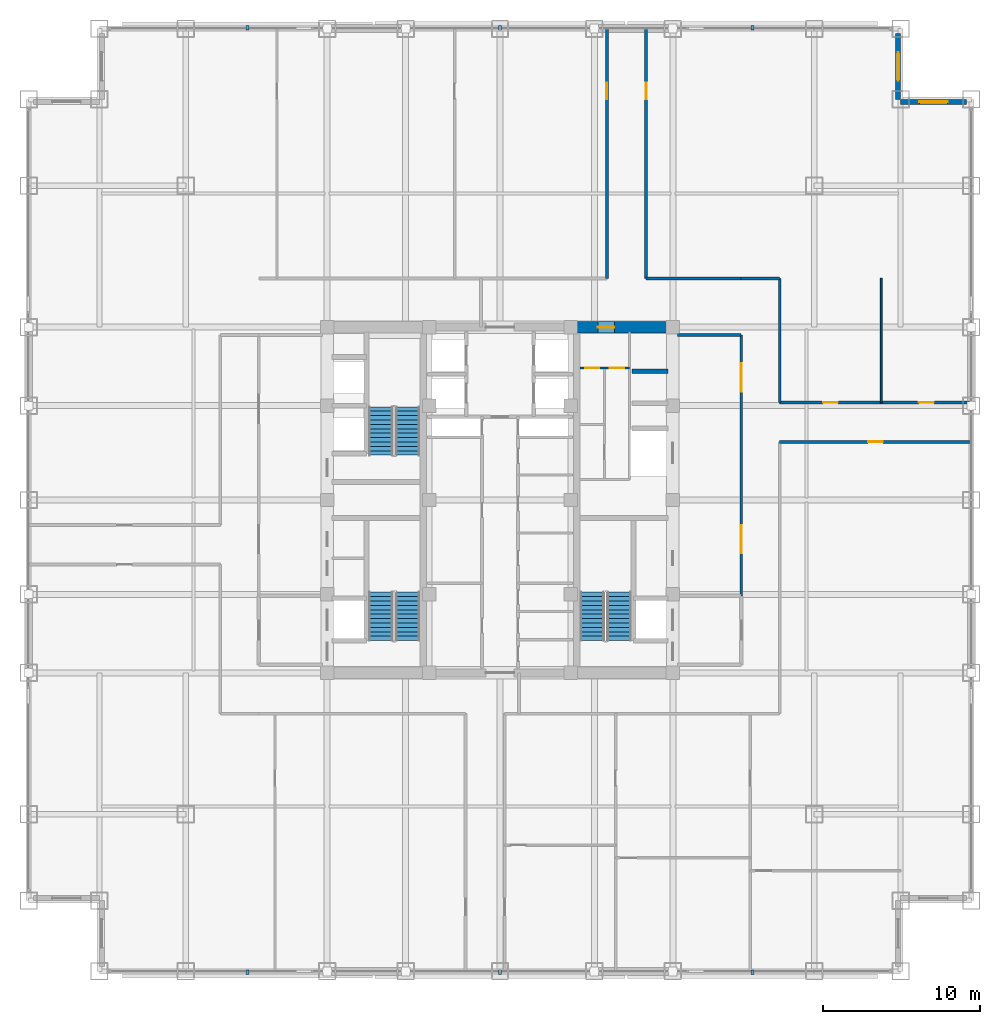
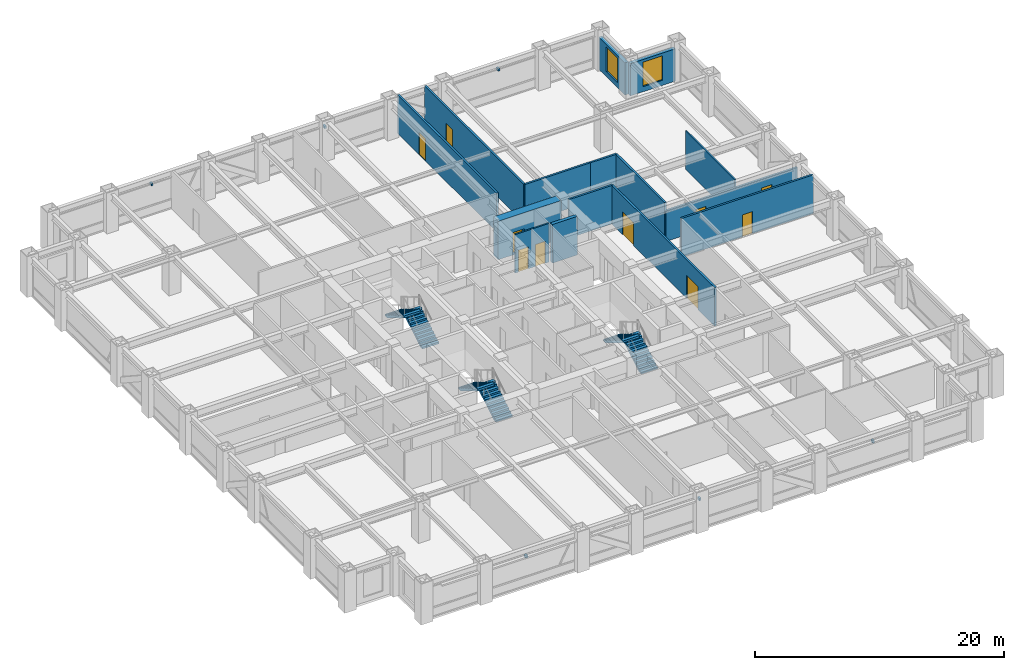
# One storey, part 23 of 28: 15 walls, 10 doors, 6 discrete accessories, 6 stair flights, 2 windows, 12 openings, 3 elements without a shape of their own.
"""IFC4 building model written with IfcOpenShell, lengths in metres."""

from ifc_helpers import new_model, si_unit, direction, frame, frame_2d, origin, origin_2d, place, context, subcontext, project, spatial, polyline, rectangle, outline, extrude, source, transform, mapped, material, layer, layer_set, type_object, element, fill, aggregate, save


model = new_model("IFC4")

# Units and contexts
model_context = context("Model", 3, precision=1e-05, world=origin(), true_north=direction((0.0, 1.0)))
body_context = subcontext(model_context, "Body", "Model", "MODEL_VIEW")
ifc_project = project(units=[si_unit("LENGTHUNIT", "METRE"), si_unit("AREAUNIT", "SQUARE_METRE"), si_unit("VOLUMEUNIT", "CUBIC_METRE"), si_unit("PLANEANGLEUNIT", "RADIAN"), si_unit("MASSUNIT", "GRAM", prefix="KILO")], contexts=[model_context])

# Site, building, storey
site_placement = place(None, origin())
site = spatial("IfcSite", under=ifc_project, at=site_placement, CompositionType="ELEMENT")
building_placement = place(site_placement, origin())
building = spatial("IfcBuilding", under=site, at=building_placement, Name="Khorayat Bourse Tower", CompositionType="ELEMENT")
storey_placement = place(building_placement, frame((0.0, 0.0, 183.10009765625)))
storey = spatial("IfcBuildingStorey", under=building, at=storey_placement, Name="L42", CompositionType="ELEMENT", Elevation=183.10009765625)

# Wall, opening, door
ifc_material_1 = material(Name="Concrete C72/90", Category="concrete")
ifc_layer_1 = layer(ifc_material_1, 0.75)
ifc_layer_set_1 = layer_set([ifc_layer_1], Name="Concrete C72/90")
wall_type_1 = type_object("IfcWallType", Name="WAL-CORE-750", PredefinedType="SHEAR", material=ifc_layer_set_1)
shared_shape_1 = source(origin(), body_context, "Body", "SweptSolid", [
    extrude(rectangle(XDim=5.849853515625, YDim=0.75, at=frame_2d((2.9248046875, 0.0))), origin(), (0.0, 0.0, 1.0), 3.77978515625),
])
wall_1_placement = place(storey_placement, frame((4.85009765625, 11.0, 0.0), z_axis=(0.0, 0.0, 1.0), x_axis=(1.0, 0.0, 0.0)))
wall_1 = element("IfcWall", 1, at=wall_1_placement, inside=storey, type_object=wall_type_1, Name="L42 Core Shear Wall PIER-EN", PredefinedType="SHEAR", context=body_context, shape_type="MappedRepresentation", body=[
    mapped(shared_shape_1, transform((0.0, 0.0, 0.0), scale=1.0)),
])
shared_shape_2 = source(origin(), body_context, "Body", "SweptSolid", [
    extrude(rectangle(XDim=1.050048828125, YDim=2.199951171875, at=frame_2d((0.52490234375, 1.10009765625))), frame((0.0, 0.385009765625, 0.0), z_axis=(0.0, -1.0, 0.0), x_axis=(1.0, 0.0, 0.0)), (0.0, 0.0, 1.0), 0.77001953125),
])
opening_1_placement = place(wall_1_placement, frame((1.375, 0.0, 0.0)))
opening_1 = element("IfcOpeningElement", 2, at=opening_1_placement, cuts=wall_1, Name="Opening DI-04", PredefinedType="OPENING", context=body_context, shape_type="MappedRepresentation", body=[
    mapped(shared_shape_2, transform((0.0, 0.0, 0.0), scale=1.0)),
])
ifc_material_2 = material(Name="Fire-rated oak veneer suite entrance door")
door_type_1 = type_object("IfcDoorType", Name="DR-INT-SUITE-1050", OperationType="NOTDEFINED", PredefinedType="DOOR", material=ifc_material_2)
shared_shape_3 = source(origin(), body_context, "Body", "SweptSolid", [
    extrude(rectangle(XDim=1.050048828125, YDim=2.199951171875, at=frame_2d((0.52490234375, 1.10009765625))), frame((0.0, 0.02490234375, 0.0), z_axis=(0.0, -1.0, 0.0), x_axis=(1.0, 0.0, 0.0)), (0.0, 0.0, 1.0), 0.050048828125),
])
door_1_placement = place(opening_1_placement, origin())
door_1 = element("IfcDoor", 3, at=door_1_placement, inside=storey, type_object=door_type_1, Name="L42 Core Washroom Lobby Door", OperationType="SINGLE_SWING_LEFT", OverallHeight=2.199951171875, OverallWidth=1.050048828125, PredefinedType="DOOR", context=body_context, shape_type="MappedRepresentation", body=[
    mapped(shared_shape_3, transform((0.0, 0.0, 0.0), scale=1.0)),
])
fill(opening_1, door_1)

# Wall, opening, window
ifc_material_3 = material(Name="Precast concrete C45/55", Category="concrete")
ifc_layer_2 = layer(ifc_material_3, 0.320068359375)
ifc_layer_set_2 = layer_set([ifc_layer_2], Name="Precast concrete C45/55")
wall_type_2 = type_object("IfcWallType", Name="WAL-EXT-STONE-320", PredefinedType="STANDARD", material=ifc_layer_set_2)
shared_shape_4 = source(origin(), body_context, "Body", "SweptSolid", [
    extrude(rectangle(XDim=4.179931640625, YDim=0.320068359375, at=frame_2d((2.08984375, 0.0))), origin(), (0.0, 0.0, 1.0), 3.163818359375),
])
wall_2_placement = place(storey_placement, frame((25.5, 25.340087890625, 0.0), z_axis=(0.0, 0.0, 1.0), x_axis=(1.0, 0.0, 0.0)))
wall_2 = element("IfcWall", 4, at=wall_2_placement, inside=storey, type_object=wall_type_2, Name="L42 Re-Entrant Notch Limestone Wall NE-H", PredefinedType="STANDARD", context=body_context, shape_type="MappedRepresentation", body=[
    mapped(shared_shape_4, transform((0.0, 0.0, 0.0), scale=1.0)),
])
shared_shape_5 = source(origin(), body_context, "Body", "SweptSolid", [
    extrude(rectangle(XDim=1.800048828125, YDim=2.39990234375, at=frame_2d((0.89990234375, 1.199951171875))), frame((0.0, 0.169921875, 0.0), z_axis=(0.0, -1.0, 0.0), x_axis=(1.0, 0.0, 0.0)), (0.0, 0.0, 1.0), 0.340087890625),
])
opening_2_placement = place(wall_2_placement, frame((1.18994140625, 0.0, 0.5)))
opening_2 = element("IfcOpeningElement", 5, at=opening_2_placement, cuts=wall_2, Name="Opening WN-04", PredefinedType="OPENING", context=body_context, shape_type="MappedRepresentation", body=[
    mapped(shared_shape_5, transform((0.0, 0.0, 0.0), scale=1.0)),
])
ifc_material_4 = material(Name="Low-E acoustic laminated double glazing", Category="glass")
window_type = type_object("IfcWindowType", Name="WIN-NOTCH-1800x2400", PartitioningType="SINGLE_PANEL", PredefinedType="WINDOW", material=ifc_material_4)
shared_shape_6 = source(origin(), body_context, "Body", "SweptSolid", [
    extrude(rectangle(XDim=1.800048828125, YDim=2.39990234375, at=frame_2d((0.89990234375, 1.199951171875))), frame((0.0, 0.030029296875, 0.0), z_axis=(0.0, -1.0, 0.0), x_axis=(1.0, 0.0, 0.0)), (0.0, 0.0, 1.0), 0.06005859375),
])
window_1_placement = place(opening_2_placement, origin())
window_1 = element("IfcWindow", 6, at=window_1_placement, inside=storey, type_object=window_type, Name="L42 Facade Window 1", OverallHeight=2.39990234375, OverallWidth=1.800048828125, PartitioningType="SINGLE_PANEL", PredefinedType="WINDOW", context=body_context, shape_type="MappedRepresentation", body=[
    mapped(shared_shape_6, transform((0.0, 0.0, 0.0), scale=1.0)),
])
fill(opening_2, window_1)

wall_3_placement = place(storey_placement, frame((25.340087890625, 25.5, 0.0), z_axis=(0.0, 0.0, 1.0), x_axis=(0.0, 1.0, 0.0)))
wall_3 = element("IfcWall", 7, at=wall_3_placement, inside=storey, type_object=wall_type_2, Name="L42 Re-Entrant Notch Limestone Wall NE-V", PredefinedType="STANDARD", context=body_context, shape_type="MappedRepresentation", body=[
    mapped(shared_shape_4, transform((0.0, 0.0, 0.0), scale=1.0)),
])
opening_3_placement = place(wall_3_placement, frame((1.18994140625, 0.0, 0.5)))
opening_3 = element("IfcOpeningElement", 8, at=opening_3_placement, cuts=wall_3, Name="Opening WN-04", PredefinedType="OPENING", context=body_context, shape_type="MappedRepresentation", body=[
    mapped(shared_shape_5, transform((0.0, 0.0, 0.0), scale=1.0)),
])
window_2_placement = place(opening_3_placement, origin())
window_2 = element("IfcWindow", 9, at=window_2_placement, inside=storey, type_object=window_type, Name="L42 Facade Window 1", OverallHeight=2.39990234375, OverallWidth=1.800048828125, PartitioningType="SINGLE_PANEL", PredefinedType="WINDOW", context=body_context, shape_type="MappedRepresentation", body=[
    mapped(shared_shape_6, transform((0.0, 0.0, 0.0), scale=1.0)),
])
fill(opening_3, window_2)

# Wall
ifc_material_5 = material(Name="Concrete C50/60", Category="concrete")
ifc_layer_3 = layer(ifc_material_5, 0.300048828125)
ifc_layer_set_3 = layer_set([ifc_layer_3], Name="Concrete C50/60")
wall_type_3 = type_object("IfcWallType", Name="WAL-SHAFT-300", PredefinedType="SHEAR", material=ifc_layer_set_3)
shared_shape_7 = source(origin(), body_context, "Body", "SweptSolid", [
    extrude(rectangle(XDim=2.300048828125, YDim=0.300048828125, at=frame_2d((1.14990234375, 0.0))), origin(), (0.0, 0.0, 1.0), 3.77978515625),
])
wall_4_placement = place(storey_placement, frame((8.39990234375, 8.199951171875, 0.0), z_axis=(0.0, 0.0, 1.0), x_axis=(1.0, 0.0, 0.0)))
element("IfcWall", 10, at=wall_4_placement, inside=storey, type_object=wall_type_3, Name="L42 Partition WAL-L42-EPIER-H34", PredefinedType="SHEAR", context=body_context, shape_type="MappedRepresentation", body=[
    mapped(shared_shape_7, transform((0.0, 0.0, 0.0), scale=1.0)),
])

# Wall, openings, doors
ifc_material_6 = material(Name="Moisture-resistant masonry partition", Category="masonry")
ifc_layer_4 = layer(ifc_material_6, 0.139892578125)
ifc_layer_set_4 = layer_set([ifc_layer_4], Name="Moisture-resistant masonry partition")
wall_type_4 = type_object("IfcWallType", Name="WAL-PART-WET-140", PredefinedType="PARTITIONING", material=ifc_layer_set_4)
shared_shape_8 = source(origin(), body_context, "Body", "SweptSolid", [
    extrude(rectangle(XDim=3.14990234375, YDim=0.139892578125, at=frame_2d((1.574951171875, 0.0))), origin(), (0.0, 0.0, 1.0), 3.77978515625),
])
wall_5_placement = place(storey_placement, frame((5.10009765625, 8.39990234375, 0.0), z_axis=(0.0, 0.0, 1.0), x_axis=(1.0, 0.0, 0.0)))
wall_5 = element("IfcWall", 11, at=wall_5_placement, inside=storey, type_object=wall_type_4, Name="L42 Partition WAL-L42-ECW-TOP", PredefinedType="PARTITIONING", context=body_context, shape_type="MappedRepresentation", body=[
    mapped(shared_shape_8, transform((0.0, 0.0, 0.0), scale=1.0)),
])
shared_shape_9 = source(origin(), body_context, "Body", "SweptSolid", [
    extrude(rectangle(XDim=0.89990234375, YDim=2.14990234375, at=frame_2d((0.449951171875, 1.074951171875))), frame((0.0, 0.079833984375, 0.0), z_axis=(0.0, -1.0, 0.0), x_axis=(1.0, 0.0, 0.0)), (0.0, 0.0, 1.0), 0.159912109375),
])
opening_4_placement = place(wall_5_placement, frame((0.330078125, 0.0, 0.0)))
opening_4 = element("IfcOpeningElement", 12, at=opening_4_placement, cuts=wall_5, Name="Opening DI-06", PredefinedType="OPENING", context=body_context, shape_type="MappedRepresentation", body=[
    mapped(shared_shape_9, transform((0.0, 0.0, 0.0), scale=1.0)),
])
opening_5_placement = place(wall_5_placement, frame((1.89990234375, 0.0, 0.0)))
opening_5 = element("IfcOpeningElement", 13, at=opening_5_placement, cuts=wall_5, Name="Opening DI-06", PredefinedType="OPENING", context=body_context, shape_type="MappedRepresentation", body=[
    mapped(shared_shape_9, transform((0.0, 0.0, 0.0), scale=1.0)),
])
ifc_material_7 = material(Name="Moisture-resistant laminate washroom door")
door_type_2 = type_object("IfcDoorType", Name="DR-INT-WC-900", OperationType="NOTDEFINED", PredefinedType="DOOR", material=ifc_material_7)
shared_shape_10 = source(origin(), body_context, "Body", "SweptSolid", [
    extrude(rectangle(XDim=0.89990234375, YDim=2.14990234375, at=frame_2d((0.449951171875, 1.074951171875))), frame((0.0, 0.02490234375, 0.0), z_axis=(0.0, -1.0, 0.0), x_axis=(1.0, 0.0, 0.0)), (0.0, 0.0, 1.0), 0.050048828125),
])
door_2_placement = place(opening_4_placement, origin())
door_2 = element("IfcDoor", 14, at=door_2_placement, inside=storey, type_object=door_type_2, Name="L42 Accessible WC Door", OperationType="SINGLE_SWING_LEFT", OverallHeight=2.14990234375, OverallWidth=0.89990234375, PredefinedType="DOOR", context=body_context, shape_type="MappedRepresentation", body=[
    mapped(shared_shape_10, transform((0.0, 0.0, 0.0), scale=1.0)),
])
fill(opening_4, door_2)
door_3_placement = place(opening_5_placement, origin())
door_3 = element("IfcDoor", 15, at=door_3_placement, inside=storey, type_object=door_type_2, Name="L42 Shared Washroom Door", OperationType="SINGLE_SWING_RIGHT", OverallHeight=2.14990234375, OverallWidth=0.89990234375, PredefinedType="DOOR", context=body_context, shape_type="MappedRepresentation", body=[
    mapped(shared_shape_10, transform((0.0, 0.0, 0.0), scale=1.0)),
])
fill(opening_5, door_3)

# Wall
ifc_material_8 = material(Name="Gypsum plasterboard acoustic stud wall")
ifc_layer_5 = layer(ifc_material_8, 0.179931640625)
ifc_layer_set_5 = layer_set([ifc_layer_5], Name="Gypsum plasterboard acoustic stud wall")
wall_type_5 = type_object("IfcWallType", Name="WAL-PART-CORR-180", PredefinedType="PARTITIONING", material=ifc_layer_set_5)
shared_shape_11 = source(origin(), body_context, "Body", "SweptSolid", [
    extrude(rectangle(XDim=4.050048828125, YDim=0.179931640625, at=frame_2d((2.02490234375, 0.0))), origin(), (0.0, 0.0, 1.0), 3.77978515625),
])
wall_6_placement = place(storey_placement, frame((11.300048828125, 10.5, 0.0), z_axis=(0.0, 0.0, 1.0), x_axis=(1.0, 0.0, 0.0)))
element("IfcWall", 16, at=wall_6_placement, inside=storey, type_object=wall_type_5, Name="L42 Partition WAL-L42-ELOB-N", PredefinedType="PARTITIONING", context=body_context, shape_type="MappedRepresentation", body=[
    mapped(shared_shape_11, transform((0.0, 0.0, 0.0), scale=1.0)),
])

# Wall, openings, doors
shared_shape_12 = source(origin(), body_context, "Body", "SweptSolid", [
    extrude(rectangle(XDim=16.60009765625, YDim=0.179931640625, at=frame_2d((8.300048828125, 0.0))), origin(), (0.0, 0.0, 1.0), 3.77978515625),
])
wall_7_placement = place(storey_placement, frame((15.35009765625, -6.10009765625, 0.0), z_axis=(0.0, 0.0, 1.0), x_axis=(0.0, 1.0, 0.0)))
wall_7 = element("IfcWall", 17, at=wall_7_placement, inside=storey, type_object=wall_type_5, Name="L42 Partition WAL-L42-ELOB-E", PredefinedType="PARTITIONING", context=body_context, shape_type="MappedRepresentation", body=[
    mapped(shared_shape_12, transform((0.0, 0.0, 0.0), scale=1.0)),
])
shared_shape_13 = source(origin(), body_context, "Body", "SweptSolid", [
    extrude(rectangle(XDim=1.800048828125, YDim=2.25, at=frame_2d((0.89990234375, 1.125))), frame((0.0, 0.099853515625, 0.0), z_axis=(0.0, -1.0, 0.0), x_axis=(1.0, 0.0, 0.0)), (0.0, 0.0, 1.0), 0.199951171875),
])
opening_6_placement = place(wall_7_placement, frame((2.699951171875, 0.0, 0.0)))
opening_6 = element("IfcOpeningElement", 18, at=opening_6_placement, cuts=wall_7, Name="Opening DI-03", PredefinedType="OPENING", context=body_context, shape_type="MappedRepresentation", body=[
    mapped(shared_shape_13, transform((0.0, 0.0, 0.0), scale=1.0)),
])
opening_7_placement = place(wall_7_placement, frame((13.0, 0.0, 0.0)))
opening_7 = element("IfcOpeningElement", 19, at=opening_7_placement, cuts=wall_7, Name="Opening DI-03", PredefinedType="OPENING", context=body_context, shape_type="MappedRepresentation", body=[
    mapped(shared_shape_13, transform((0.0, 0.0, 0.0), scale=1.0)),
])
ifc_material_9 = material(Name="Fire-rated hardwood vision-panel double leaf", Category="wood")
door_type_3 = type_object("IfcDoorType", Name="DR-INT-CORR-1800", OperationType="NOTDEFINED", PredefinedType="DOOR", material=ifc_material_9)
shared_shape_14 = source(origin(), body_context, "Body", "SweptSolid", [
    extrude(rectangle(XDim=1.800048828125, YDim=2.25, at=frame_2d((0.89990234375, 1.125))), frame((0.0, 0.02490234375, 0.0), z_axis=(0.0, -1.0, 0.0), x_axis=(1.0, 0.0, 0.0)), (0.0, 0.0, 1.0), 0.050048828125),
])
door_4_placement = place(opening_6_placement, origin())
door_4 = element("IfcDoor", 20, at=door_4_placement, inside=storey, type_object=door_type_3, Name="L42 East Core Lobby South Door", OperationType="SINGLE_SWING_RIGHT", OverallHeight=2.25, OverallWidth=1.800048828125, PredefinedType="DOOR", context=body_context, shape_type="MappedRepresentation", body=[
    mapped(shared_shape_14, transform((0.0, 0.0, 0.0), scale=1.0)),
])
fill(opening_6, door_4)
door_5_placement = place(opening_7_placement, origin())
door_5 = element("IfcDoor", 21, at=door_5_placement, inside=storey, type_object=door_type_3, Name="L42 East Core Lobby North Door", OperationType="SINGLE_SWING_LEFT", OverallHeight=2.25, OverallWidth=1.800048828125, PredefinedType="DOOR", context=body_context, shape_type="MappedRepresentation", body=[
    mapped(shared_shape_14, transform((0.0, 0.0, 0.0), scale=1.0)),
])
fill(opening_7, door_5)

# Wall
shared_shape_15 = source(origin(), body_context, "Body", "SweptSolid", [
    extrude(rectangle(XDim=2.449951171875, YDim=0.179931640625, at=frame_2d((1.22509765625, 0.0))), origin(), (0.0, 0.0, 1.0), 3.77978515625),
])
wall_8_placement = place(storey_placement, frame((15.35009765625, 14.10009765625, 0.0), z_axis=(0.0, 0.0, 1.0), x_axis=(1.0, 0.0, 0.0)))
element("IfcWall", 22, at=wall_8_placement, inside=storey, type_object=wall_type_5, Name="L42 Partition WAL-L42-C2-EN", PredefinedType="PARTITIONING", context=body_context, shape_type="MappedRepresentation", body=[
    mapped(shared_shape_15, transform((0.0, 0.0, 0.0), scale=1.0)),
])

# Wall, opening, door
shared_shape_16 = source(origin(), body_context, "Body", "SweptSolid", [
    extrude(rectangle(XDim=12.199951171875, YDim=0.179931640625, at=frame_2d((6.10009765625, 0.0))), origin(), (0.0, 0.0, 1.0), 3.77978515625),
])
wall_9_placement = place(storey_placement, frame((17.800048828125, 3.699951171875, 0.0), z_axis=(0.0, 0.0, 1.0), x_axis=(1.0, 0.0, 0.0)))
wall_9 = element("IfcWall", 23, at=wall_9_placement, inside=storey, type_object=wall_type_5, Name="L42 Partition WAL-L42-ES-SPK", PredefinedType="PARTITIONING", context=body_context, shape_type="MappedRepresentation", body=[
    mapped(shared_shape_16, transform((0.0, 0.0, 0.0), scale=1.0)),
])
shared_shape_17 = source(origin(), body_context, "Body", "SweptSolid", [
    extrude(rectangle(XDim=0.949951171875, YDim=2.14990234375, at=frame_2d((0.47509765625, 1.074951171875))), frame((0.0, 0.099853515625, 0.0), z_axis=(0.0, -1.0, 0.0), x_axis=(1.0, 0.0, 0.0)), (0.0, 0.0, 1.0), 0.199951171875),
])
opening_8_placement = place(wall_9_placement, frame((5.625, 0.0, 0.0)))
opening_8 = element("IfcOpeningElement", 24, at=opening_8_placement, cuts=wall_9, Name="Opening DI-05", PredefinedType="OPENING", context=body_context, shape_type="MappedRepresentation", body=[
    mapped(shared_shape_17, transform((0.0, 0.0, 0.0), scale=1.0)),
])
ifc_material_10 = material(Name="Acoustic oak veneer office door")
door_type_4 = type_object("IfcDoorType", Name="DR-INT-OFFICE-950", OperationType="NOTDEFINED", PredefinedType="DOOR", material=ifc_material_10)
shared_shape_18 = source(origin(), body_context, "Body", "SweptSolid", [
    extrude(rectangle(XDim=0.949951171875, YDim=2.14990234375, at=frame_2d((0.47509765625, 1.074951171875))), frame((0.0, 0.02490234375, 0.0), z_axis=(0.0, -1.0, 0.0), x_axis=(1.0, 0.0, 0.0)), (0.0, 0.0, 1.0), 0.050048828125),
])
door_6_placement = place(opening_8_placement, origin())
door_6 = element("IfcDoor", 25, at=door_6_placement, inside=storey, type_object=door_type_4, Name="L42 Members Club Room ES Door", OperationType="SINGLE_SWING_LEFT", OverallHeight=2.14990234375, OverallWidth=0.949951171875, PredefinedType="DOOR", context=body_context, shape_type="MappedRepresentation", body=[
    mapped(shared_shape_18, transform((0.0, 0.0, 0.0), scale=1.0)),
])
fill(opening_8, door_6)

# Wall, openings, doors
shared_shape_19 = source(origin(), body_context, "Body", "SweptSolid", [
    extrude(rectangle(XDim=12.199951171875, YDim=0.179931640625, at=frame_2d((6.10009765625, 0.0))), origin(), (0.0, 0.0, 1.0), 3.0068359375),
])
wall_10_placement = place(storey_placement, frame((17.800048828125, 6.199951171875, 0.0), z_axis=(0.0, 0.0, 1.0), x_axis=(1.0, 0.0, 0.0)))
wall_10 = element("IfcWall", 26, at=wall_10_placement, inside=storey, type_object=wall_type_5, Name="L42 Partition WAL-L42-EN-SPK", PredefinedType="PARTITIONING", context=body_context, shape_type="MappedRepresentation", body=[
    mapped(shared_shape_19, transform((0.0, 0.0, 0.0), scale=1.0)),
])
opening_9_placement = place(wall_10_placement, frame((2.758056640625, 0.0, 0.0)))
opening_9 = element("IfcOpeningElement", 27, at=opening_9_placement, cuts=wall_10, Name="Opening DI-05", PredefinedType="OPENING", context=body_context, shape_type="MappedRepresentation", body=[
    mapped(shared_shape_17, transform((0.0, 0.0, 0.0), scale=1.0)),
])
opening_10_placement = place(wall_10_placement, frame((8.85791015625, 0.0, 0.0)))
opening_10 = element("IfcOpeningElement", 28, at=opening_10_placement, cuts=wall_10, Name="Opening DI-05", PredefinedType="OPENING", context=body_context, shape_type="MappedRepresentation", body=[
    mapped(shared_shape_17, transform((0.0, 0.0, 0.0), scale=1.0)),
])
door_7_placement = place(opening_9_placement, origin())
door_7 = element("IfcDoor", 29, at=door_7_placement, inside=storey, type_object=door_type_4, Name="L42 Executive Wellness Fitness Gym ENA Door", OperationType="SINGLE_SWING_LEFT", OverallHeight=2.14990234375, OverallWidth=0.949951171875, PredefinedType="DOOR", context=body_context, shape_type="MappedRepresentation", body=[
    mapped(shared_shape_18, transform((0.0, 0.0, 0.0), scale=1.0)),
])
fill(opening_9, door_7)
door_8_placement = place(opening_10_placement, origin())
door_8 = element("IfcDoor", 30, at=door_8_placement, inside=storey, type_object=door_type_4, Name="L42 Members Dining Room ENB Door", OperationType="SINGLE_SWING_RIGHT", OverallHeight=2.14990234375, OverallWidth=0.949951171875, PredefinedType="DOOR", context=body_context, shape_type="MappedRepresentation", body=[
    mapped(shared_shape_18, transform((0.0, 0.0, 0.0), scale=1.0)),
])
fill(opening_10, door_8)

# Wall, opening, door
shared_shape_20 = source(origin(), body_context, "Body", "SweptSolid", [
    extrude(rectangle(XDim=15.89990234375, YDim=0.179931640625, at=frame_2d((7.949951171875, 0.0))), origin(), (0.0, 0.0, 1.0), 3.77978515625),
])
wall_11_placement = place(storey_placement, frame((6.800048828125, 14.10009765625, 0.0), z_axis=(0.0, 0.0, 1.0), x_axis=(0.0, 1.0, 0.0)))
wall_11 = element("IfcWall", 31, at=wall_11_placement, inside=storey, type_object=wall_type_5, Name="L42 Partition WAL-L42-QNW-SPK", PredefinedType="PARTITIONING", context=body_context, shape_type="MappedRepresentation", body=[
    mapped(shared_shape_20, transform((0.0, 0.0, 0.0), scale=1.0)),
])
shared_shape_21 = source(origin(), body_context, "Body", "SweptSolid", [
    extrude(rectangle(XDim=1.050048828125, YDim=2.199951171875, at=frame_2d((0.52490234375, 1.10009765625))), frame((0.0, 0.099853515625, 0.0), z_axis=(0.0, -1.0, 0.0), x_axis=(1.0, 0.0, 0.0)), (0.0, 0.0, 1.0), 0.199951171875),
])
opening_11_placement = place(wall_11_placement, frame((11.39990234375, 0.0, 0.0)))
opening_11 = element("IfcOpeningElement", 32, at=opening_11_placement, cuts=wall_11, Name="Opening DI-04", PredefinedType="OPENING", context=body_context, shape_type="MappedRepresentation", body=[
    mapped(shared_shape_21, transform((0.0, 0.0, 0.0), scale=1.0)),
])
door_9_placement = place(opening_11_placement, origin())
door_9 = element("IfcDoor", 33, at=door_9_placement, inside=storey, type_object=door_type_1, Name="L42 North-West Radial Spoke Entry", OperationType="SINGLE_SWING_LEFT", OverallHeight=2.199951171875, OverallWidth=1.050048828125, PredefinedType="DOOR", context=body_context, shape_type="MappedRepresentation", body=[
    mapped(shared_shape_3, transform((0.0, 0.0, 0.0), scale=1.0)),
])
fill(opening_11, door_9)

wall_12_placement = place(storey_placement, frame((9.300048828125, 14.10009765625, 0.0), z_axis=(0.0, 0.0, 1.0), x_axis=(0.0, 1.0, 0.0)))
wall_12 = element("IfcWall", 34, at=wall_12_placement, inside=storey, type_object=wall_type_5, Name="L42 Partition WAL-L42-QNE-SPK", PredefinedType="PARTITIONING", context=body_context, shape_type="MappedRepresentation", body=[
    mapped(shared_shape_20, transform((0.0, 0.0, 0.0), scale=1.0)),
])
opening_12_placement = place(wall_12_placement, frame((11.39990234375, 0.0, 0.0)))
opening_12 = element("IfcOpeningElement", 35, at=opening_12_placement, cuts=wall_12, Name="Opening DI-04", PredefinedType="OPENING", context=body_context, shape_type="MappedRepresentation", body=[
    mapped(shared_shape_21, transform((0.0, 0.0, 0.0), scale=1.0)),
])
door_10_placement = place(opening_12_placement, origin())
door_10 = element("IfcDoor", 36, at=door_10_placement, inside=storey, type_object=door_type_1, Name="L42 North-East Radial Spoke Entry", OperationType="SINGLE_SWING_LEFT", OverallHeight=2.199951171875, OverallWidth=1.050048828125, PredefinedType="DOOR", context=body_context, shape_type="MappedRepresentation", body=[
    mapped(shared_shape_3, transform((0.0, 0.0, 0.0), scale=1.0)),
])
fill(opening_12, door_10)

# Walls
shared_shape_22 = source(origin(), body_context, "Body", "SweptSolid", [
    extrude(rectangle(XDim=6.050048828125, YDim=0.179931640625, at=frame_2d((3.02490234375, 0.0))), origin(), (0.0, 0.0, 1.0), 3.77978515625),
])
wall_13_placement = place(storey_placement, frame((9.300048828125, 14.10009765625, 0.0), z_axis=(0.0, 0.0, 1.0), x_axis=(1.0, 0.0, 0.0)))
element("IfcWall", 37, at=wall_13_placement, inside=storey, type_object=wall_type_5, Name="L42 Partition WAL-L42-QNE-HC", PredefinedType="PARTITIONING", context=body_context, shape_type="MappedRepresentation", body=[
    mapped(shared_shape_22, transform((0.0, 0.0, 0.0), scale=1.0)),
])
ifc_material_11 = material(Name="Gypsum plasterboard partition")
ifc_layer_6 = layer(ifc_material_11, 0.125)
ifc_layer_set_6 = layer_set([ifc_layer_6], Name="Gypsum plasterboard partition")
wall_type_6 = type_object("IfcWallType", Name="WAL-PART-ROOM-125", PredefinedType="PARTITIONING", material=ifc_layer_set_6)
shared_shape_23 = source(origin(), body_context, "Body", "SweptSolid", [
    extrude(rectangle(XDim=7.900146484375, YDim=0.125, at=frame_2d((3.9501953125, 0.0))), origin(), (0.0, 0.0, 1.0), 3.77978515625),
])
wall_14_placement = place(storey_placement, frame((24.26611328125, 6.199951171875, 0.0), z_axis=(0.0, 0.0, 1.0), x_axis=(0.0, 1.0, 0.0)))
element("IfcWall", 38, at=wall_14_placement, inside=storey, type_object=wall_type_6, Name="L42 Partition WAL-L42-EN-DV", PredefinedType="PARTITIONING", context=body_context, shape_type="MappedRepresentation", body=[
    mapped(shared_shape_23, transform((0.0, 0.0, 0.0), scale=1.0)),
])
shared_shape_24 = source(origin(), body_context, "Body", "SweptSolid", [
    extrude(rectangle(XDim=7.900146484375, YDim=0.179931640625, at=frame_2d((3.9501953125, 0.0))), origin(), (0.0, 0.0, 1.0), 3.77978515625),
])
wall_15_placement = place(storey_placement, frame((17.800048828125, 6.199951171875, 0.0), z_axis=(0.0, 0.0, 1.0), x_axis=(0.0, 1.0, 0.0)))
element("IfcWall", 39, at=wall_15_placement, inside=storey, type_object=wall_type_5, Name="L42 Partition WAL-L42-EN-IN", PredefinedType="PARTITIONING", context=body_context, shape_type="MappedRepresentation", body=[
    mapped(shared_shape_24, transform((0.0, 0.0, 0.0), scale=1.0)),
])

# Stair, stair flights
ifc_material_12 = material(Name="Concrete C40/50", Category="concrete")
stair_type = type_object("IfcStairType", Name="STR-CORE-1550", PredefinedType="HALF_TURN_STAIR", material=ifc_material_12)
stair_1_placement = place(storey_placement, origin())
stair_1 = element("IfcStair", 40, at=stair_1_placement, inside=storey, type_object=stair_type, Name="L42 Exit Stair ST-1", PredefinedType="HALF_TURN_STAIR")
stair_flight_type = type_object("IfcStairFlightType", Name="FLT-CORE-1550", PredefinedType="STRAIGHT", material=ifc_material_12)
shared_shape_25 = source(origin(), body_context, "Body", "SweptSolid", [
    extrude(outline(polyline([(0.0, 0.0), (0.0, 0.166748046875), (0.280029296875, 0.166748046875), (0.280029296875, 0.333251953125), (0.56005859375, 0.333251953125), (0.56005859375, 0.5), (0.840087890625, 0.5), (0.840087890625, 0.666748046875), (1.1201171875, 0.666748046875), (1.1201171875, 0.833251953125), (1.39990234375, 0.833251953125), (1.39990234375, 1.0), (1.679931640625, 1.0), (1.679931640625, 1.166748046875), (1.9599609375, 1.166748046875), (1.9599609375, 1.333251953125), (2.239990234375, 1.333251953125), (2.239990234375, 1.5), (2.52001953125, 1.5), (2.52001953125, 1.666748046875), (2.800048828125, 1.666748046875), (2.800048828125, 1.833251953125), (3.080078125, 1.833251953125), (3.080078125, 2.0), (3.080078125, 1.6240234375), (0.351806640625, 0.0), (0.0, 0.0)])), frame((0.0, 0.77490234375, 0.0), z_axis=(0.0, -1.0, 0.0), x_axis=(1.0, 0.0, 0.0)), (0.0, 0.0, 1.0), 1.550048828125),
])
stair_flight_1_placement = place(storey_placement, frame((-5.875, -8.949951171875, 0.0), z_axis=(0.0, 0.0, 1.0), x_axis=(0.0, 1.0, 0.0)))
stair_flight_1 = element("IfcStairFlight", 41, at=stair_flight_1_placement, type_object=stair_flight_type, Name="ST-1 flight 1", NumberOfRisers=12, NumberOfTreads=11, PredefinedType="STRAIGHT", RiserHeight=0.166666667, TreadLength=0.28, context=body_context, shape_type="MappedRepresentation", body=[
    mapped(shared_shape_25, transform((0.0, 0.0, 0.0), scale=1.0)),
])
stair_flight_2_placement = place(storey_placement, frame((-7.574951171875, -5.8701171875, 2.0), z_axis=(0.0, 0.0, 1.0), x_axis=(0.0, -1.0, 0.0)))
stair_flight_2 = element("IfcStairFlight", 42, at=stair_flight_2_placement, type_object=stair_flight_type, Name="ST-1 flight 2", NumberOfRisers=12, NumberOfTreads=11, PredefinedType="STRAIGHT", RiserHeight=0.166666667, TreadLength=0.28, context=body_context, shape_type="MappedRepresentation", body=[
    mapped(shared_shape_25, transform((0.0, 0.0, 0.0), scale=1.0)),
])
aggregate(stair_1, [stair_flight_1, stair_flight_2])

stair_2_placement = place(storey_placement, origin())
stair_2 = element("IfcStair", 43, at=stair_2_placement, inside=storey, type_object=stair_type, Name="L42 Exit Stair ST-2", PredefinedType="HALF_TURN_STAIR")
stair_flight_3_placement = place(storey_placement, frame((-5.875, 2.85009765625, 0.0), z_axis=(0.0, 0.0, 1.0), x_axis=(0.0, 1.0, 0.0)))
stair_flight_3 = element("IfcStairFlight", 44, at=stair_flight_3_placement, type_object=stair_flight_type, Name="ST-2 flight 1", NumberOfRisers=12, NumberOfTreads=11, PredefinedType="STRAIGHT", RiserHeight=0.166666667, TreadLength=0.28, context=body_context, shape_type="MappedRepresentation", body=[
    mapped(shared_shape_25, transform((0.0, 0.0, 0.0), scale=1.0)),
])
stair_flight_4_placement = place(storey_placement, frame((-7.574951171875, 5.929931640625, 2.0), z_axis=(0.0, 0.0, 1.0), x_axis=(0.0, -1.0, 0.0)))
stair_flight_4 = element("IfcStairFlight", 45, at=stair_flight_4_placement, type_object=stair_flight_type, Name="ST-2 flight 2", NumberOfRisers=12, NumberOfTreads=11, PredefinedType="STRAIGHT", RiserHeight=0.166666667, TreadLength=0.28, context=body_context, shape_type="MappedRepresentation", body=[
    mapped(shared_shape_25, transform((0.0, 0.0, 0.0), scale=1.0)),
])
aggregate(stair_2, [stair_flight_3, stair_flight_4])

stair_3_placement = place(storey_placement, origin())
stair_3 = element("IfcStair", 46, at=stair_3_placement, inside=storey, type_object=stair_type, Name="L42 Exit Stair ST-3", PredefinedType="HALF_TURN_STAIR")
stair_flight_5_placement = place(storey_placement, frame((7.574951171875, -8.949951171875, 0.0), z_axis=(0.0, 0.0, 1.0), x_axis=(0.0, 1.0, 0.0)))
stair_flight_5 = element("IfcStairFlight", 47, at=stair_flight_5_placement, type_object=stair_flight_type, Name="ST-3 flight 1", NumberOfRisers=12, NumberOfTreads=11, PredefinedType="STRAIGHT", RiserHeight=0.166666667, TreadLength=0.28, context=body_context, shape_type="MappedRepresentation", body=[
    mapped(shared_shape_25, transform((0.0, 0.0, 0.0), scale=1.0)),
])
stair_flight_6_placement = place(storey_placement, frame((5.875, -5.8701171875, 2.0), z_axis=(0.0, 0.0, 1.0), x_axis=(0.0, -1.0, 0.0)))
stair_flight_6 = element("IfcStairFlight", 48, at=stair_flight_6_placement, type_object=stair_flight_type, Name="ST-3 flight 2", NumberOfRisers=12, NumberOfTreads=11, PredefinedType="STRAIGHT", RiserHeight=0.166666667, TreadLength=0.28, context=body_context, shape_type="MappedRepresentation", body=[
    mapped(shared_shape_25, transform((0.0, 0.0, 0.0), scale=1.0)),
])
aggregate(stair_3, [stair_flight_5, stair_flight_6])

# Discrete accessories
ifc_material_13 = material(Name="Steel EN 10025-2 S355J2", Category="steel")
discrete_accessory_type = type_object("IfcDiscreteAccessoryType", Name="ACC-SHADE-BRACKET", PredefinedType="BRACKET", material=ifc_material_13)
shared_shape_26 = source(origin(), body_context, "Body", "SweptSolid", [
    extrude(rectangle(XDim=0.179931640625, YDim=0.300048828125, at=origin_2d()), origin(), (0.0, 0.0, 1.0), 0.239990234375),
])
for number, where, z_axis, x_axis, name in (
    (49, (-16.066650390625, -30.06005859375, 2.8798828125), (0.0, 0.0, 1.0), (1.0, 0.0, 0.0), "L42 Sunshade Support Bracket S-1"),
    (50, (0.0, -30.06005859375, 2.8798828125), (0.0, 0.0, 1.0), (1.0, 0.0, 0.0), "L42 Sunshade Support Bracket S-2"),
    (51, (16.066650390625, -30.06005859375, 2.8798828125), (0.0, 0.0, 1.0), (1.0, 0.0, 0.0), "L42 Sunshade Support Bracket S-3"),
    (52, (-16.066650390625, 30.06005859375, 2.8798828125), (0.0, 0.0, 1.0), (1.0, 0.0, 0.0), "L42 Sunshade Support Bracket N-1"),
    (53, (0.0, 30.06005859375, 2.8798828125), (0.0, 0.0, 1.0), (1.0, 0.0, 0.0), "L42 Sunshade Support Bracket N-2"),
    (54, (16.066650390625, 30.06005859375, 2.8798828125), (0.0, 0.0, 1.0), (1.0, 0.0, 0.0), "L42 Sunshade Support Bracket N-3"),
):
    element("IfcDiscreteAccessory", number, at=place(storey_placement, frame(where, z_axis=z_axis, x_axis=x_axis)), inside=storey, type_object=discrete_accessory_type, Name=name, PredefinedType="BRACKET", context=body_context, shape_type="MappedRepresentation", body=[
        mapped(shared_shape_26, transform((0.0, 0.0, 0.0), scale=1.0)),
    ])

save(model, "model.ifc")
